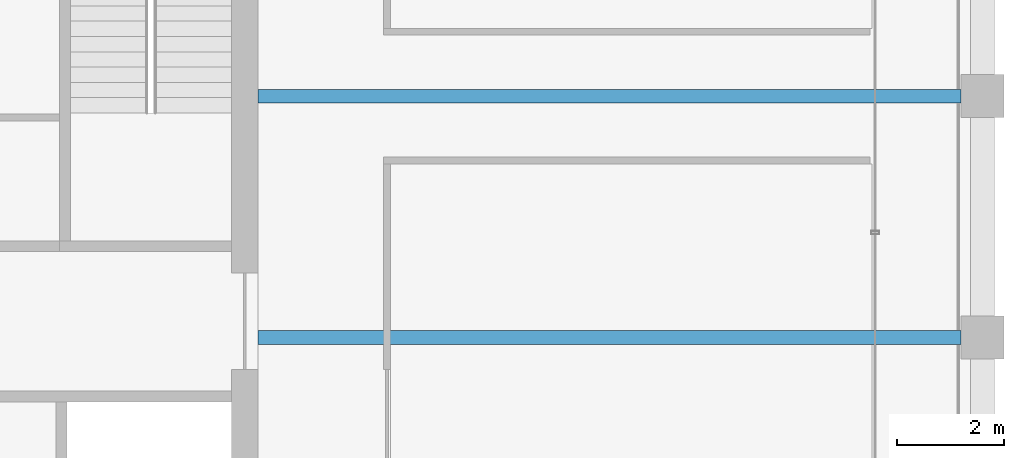
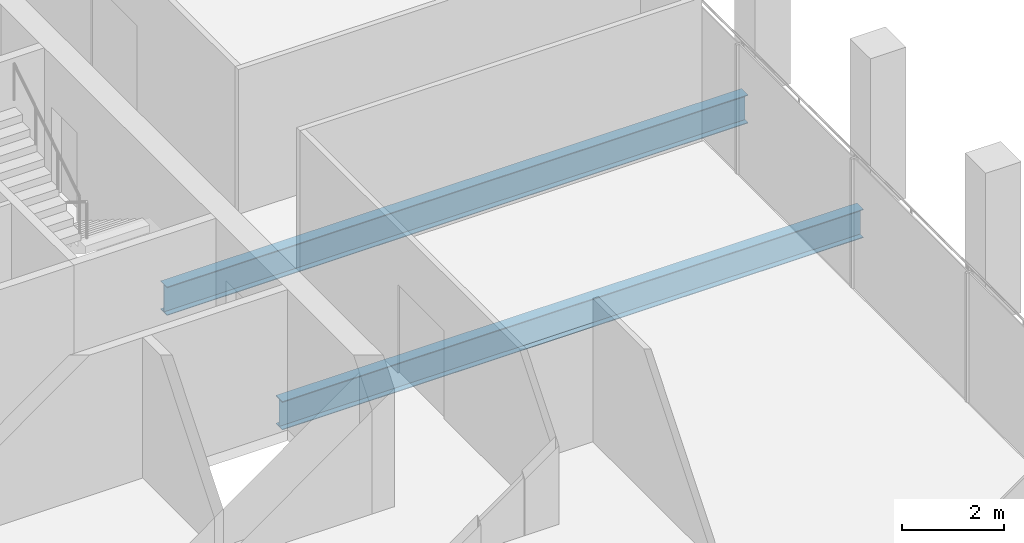
# One storey, part 16 of 30: 2 beams.
"""IFC4 building model written with IfcOpenShell, lengths in metres."""

import ifcopenshell
import ifcopenshell.guid

model = None  # the IFC model being written
_history = None  # IfcOwnerHistory: only IFC2X3 demands one
_inside = {}  # id of a spatial element -> (the spatial element, [elements in it])
_under = {}  # id of a project, library or spatial element -> (it, [spatial elements below it])
_declared = {}  # id of a project -> (the project, [libraries it declares])
_typed = {}  # id of a type object -> (the type object, [elements of that type])
_made_of = {}  # id of a material, layer set ... -> (it, [elements and type objects made of it])


def new_model(schema):
    """Start an empty IFC model of exactly this schema.

    Asked for "IFC4X3", IfcOpenShell would pick the latest addendum, in which some entities
    have other attributes; the version numbers below select the first issue.
    IFC2X3 requires an IfcOwnerHistory on every rooted entity: one is made here for all.
    """
    global model, _history
    if schema == "IFC4X3":
        model = ifcopenshell.file(schema_version=(4, 3, 0, 0))
    else:
        model = ifcopenshell.file(schema=schema)
    _inside.clear()
    _under.clear()
    _declared.clear()
    _typed.clear()
    _made_of.clear()
    _history = None
    if model.schema == "IFC2X3":
        org = make("IfcOrganization", Name="unknown")
        user = make(
            "IfcPersonAndOrganization",
            ThePerson=make("IfcPerson", FamilyName="unknown"),
            TheOrganization=org,
        )
        app = make(
            "IfcApplication",
            ApplicationDeveloper=org,
            Version="unknown",
            ApplicationFullName="unknown",
            ApplicationIdentifier="unknown",
        )
        _history = make(
            "IfcOwnerHistory",
            OwningUser=user,
            OwningApplication=app,
            ChangeAction="ADDED",
            CreationDate=0,
        )
    return model


def make(cls, **values):
    """One entity of the class cls with the attributes given. An attribute that is None is left unset."""
    return model.create_entity(
        cls, **{name: value for name, value in values.items() if value is not None}
    )


def rooted(cls, **values):
    """An entity with a GlobalId (a new one), such as an element, a storey or a relation."""
    return make(cls, GlobalId=ifcopenshell.guid.new(), OwnerHistory=_history, **values)


def si_unit(unit_type, name, prefix=None):
    """IfcSIUnit, for example si_unit("LENGTHUNIT", "METRE", prefix="MILLI")."""
    return make("IfcSIUnit", UnitType=unit_type, Prefix=prefix, Name=name)


def assignment(units):
    """IfcUnitAssignment: the units of a project."""
    return None if units is None else make("IfcUnitAssignment", Units=units)


def point(xyz):
    """IfcCartesianPoint."""
    return None if xyz is None else make("IfcCartesianPoint", Coordinates=xyz)


def direction(xyz):
    """IfcDirection."""
    return None if xyz is None else make("IfcDirection", DirectionRatios=xyz)


def frame(location, z_axis=None, x_axis=None):
    """IfcAxis2Placement3D, a coordinate frame: its origin and axes. An axis left out is left unset."""
    return make(
        "IfcAxis2Placement3D",
        Location=point(location),
        Axis=direction(z_axis),
        RefDirection=direction(x_axis),
    )


def frame_2d(location, x_axis=None):
    """IfcAxis2Placement2D, a coordinate frame in the plane: its origin and x axis."""
    return make(
        "IfcAxis2Placement2D", Location=point(location), RefDirection=direction(x_axis)
    )


def origin():
    """The frame at (0, 0, 0) with its axes left unset."""
    return frame((0.0, 0.0, 0.0))


def origin_2d():
    """The frame at (0, 0) in the plane with its x axis left unset."""
    return frame_2d((0.0, 0.0))


def place(relative_to, where):
    """IfcLocalPlacement: puts the frame where relative to a parent placement (None: the world)."""
    return make(
        "IfcLocalPlacement", PlacementRelTo=relative_to, RelativePlacement=where
    )


def context(
    kind, dimensions, precision=None, world=None, true_north=None, identifier=None
):
    """IfcGeometricRepresentationContext, for example the 3D "Model" context."""
    return make(
        "IfcGeometricRepresentationContext",
        ContextIdentifier=identifier,
        ContextType=kind,
        CoordinateSpaceDimension=dimensions,
        Precision=precision,
        WorldCoordinateSystem=world,
        TrueNorth=true_north,
    )


def subcontext(parent, identifier, kind, view, scale=None):
    """IfcGeometricRepresentationSubContext, for example "Body" below "Model"."""
    return make(
        "IfcGeometricRepresentationSubContext",
        ContextIdentifier=identifier,
        ContextType=kind,
        ParentContext=parent,
        TargetScale=scale,
        TargetView=view,
    )


def project(units=None, contexts=None):
    """IfcProject with its units and contexts."""
    return rooted(
        "IfcProject",
        Name="project",
        RepresentationContexts=contexts,
        UnitsInContext=assignment(units),
    )


def spatial(cls, under=None, at=None, **own):
    """A site, building, storey or space (cls), placed at a placement, below another one or the project."""
    s = rooted(cls, ObjectPlacement=at, **own)
    if under is not None:
        _under.setdefault(under.id(), (under, []))[1].append(s)
    return s


def profile(cls, at=None, kind="AREA", **sizes):
    """A parametric profile (cls). Its sizes go by their IFC names, for example OverallWidth=200.0."""
    return make(cls, ProfileType=kind, Position=at, **sizes)


def i_section(**sizes):
    """IfcIShapeProfileDef."""
    return profile("IfcIShapeProfileDef", **sizes)


def extrude(swept, where, along, depth):
    """IfcExtrudedAreaSolid: the profile swept, set in the frame where, extruded along a direction by depth."""
    return make(
        "IfcExtrudedAreaSolid",
        SweptArea=swept,
        Position=where,
        ExtrudedDirection=direction(along),
        Depth=depth,
    )


def shape(context_of_items, identifier, shape_type, items):
    """IfcShapeRepresentation: the items that make up one representation, for example the "Body"."""
    return make(
        "IfcShapeRepresentation",
        ContextOfItems=context_of_items,
        RepresentationIdentifier=identifier,
        RepresentationType=shape_type,
        Items=items,
    )


def material(Name=None, Category=None):
    """IfcMaterial."""
    return make("IfcMaterial", Name=Name, Category=Category)


def material_profile(
    of_material, cross_section, Name=None, Category=None, Priority=None
):
    """IfcMaterialProfile: a cross section and its material."""
    return make(
        "IfcMaterialProfile",
        Name=Name,
        Material=of_material,
        Profile=cross_section,
        Priority=Priority,
        Category=Category,
    )


def profile_set(profiles, Name=None, composite=None):
    """IfcMaterialProfileSet."""
    return make(
        "IfcMaterialProfileSet",
        Name=Name,
        MaterialProfiles=profiles,
        CompositeProfile=composite,
    )


def made_of(thing, what):
    """Note that an element or type object is made of a material, layer set ...; save() writes the relation."""
    if what is not None:
        _made_of.setdefault(what.id(), (what, []))[1].append(thing)
    return thing


def type_object(cls, material=None, **own):
    """A type object (cls), such as IfcWallType, which elements share."""
    return made_of(rooted(cls, **own), material)


def element(
    cls,
    number,
    at=None,
    inside=None,
    cuts=None,
    type_object=None,
    material=None,
    context=None,
    identifier="Body",
    shape_type=None,
    held_by="IfcProductDefinitionShape",
    body=None,
    shapes=None,
    **own,
):
    """One element of the class cls, such as IfcWall. Its Tag is "e" and its number.

    at: its placement. inside: the storey or other place that contains it. cuts: it is an
    opening in that element (IfcRelVoidsElement). A single representation is given by context,
    identifier, shape_type and body (its items); several are given by shapes. held_by: the class
    of the entity that holds the representations. save() writes the other relations.
    """
    e = rooted(cls, Tag="e%d" % number, ObjectPlacement=at, **own)
    if body is not None:
        shapes = [shape(context, identifier, shape_type, body)]
    if shapes is not None:
        e.Representation = make(held_by, Representations=shapes)
    if inside is not None:
        _inside.setdefault(inside.id(), (inside, []))[1].append(e)
    if cuts is not None:
        rooted(
            "IfcRelVoidsElement", RelatingBuildingElement=cuts, RelatedOpeningElement=e
        )
    if type_object is not None:
        _typed.setdefault(type_object.id(), (type_object, []))[1].append(e)
    return made_of(e, material)


def aggregate(whole, parts):
    """IfcRelAggregates: a whole, such as a stair, and the parts it consists of."""
    return rooted("IfcRelAggregates", RelatingObject=whole, RelatedObjects=parts)


def save(model, path):
    """Write the relations noted so far, then the file.

    IfcRelAggregates (storeys below a building ...), IfcRelContainedInSpatialStructure (elements
    in a storey), IfcRelDefinesByType, IfcRelAssociatesMaterial and IfcRelDeclares: one each for
    every whole, place, type object, material and project.
    """
    for whole, parts in _under.values():
        aggregate(whole, parts)
    for where, things in _inside.values():
        rooted(
            "IfcRelContainedInSpatialStructure",
            RelatedElements=things,
            RelatingStructure=where,
        )
    for kind, things in _typed.values():
        rooted("IfcRelDefinesByType", RelatedObjects=things, RelatingType=kind)
    for what, things in _made_of.values():
        rooted("IfcRelAssociatesMaterial", RelatedObjects=things, RelatingMaterial=what)
    for by, libraries in _declared.values():
        rooted("IfcRelDeclares", RelatingContext=by, RelatedDefinitions=libraries)
    model.write(path)


model = new_model("IFC4")

# Units and contexts
model_context = context("Model", 3, precision=1e-05, world=origin(), true_north=direction((0.0, 1.0)))
body_context = subcontext(model_context, "Body", "Model", "MODEL_VIEW")
ifc_project = project(units=[si_unit("LENGTHUNIT", "METRE"), si_unit("AREAUNIT", "SQUARE_METRE"), si_unit("VOLUMEUNIT", "CUBIC_METRE"), si_unit("PLANEANGLEUNIT", "RADIAN"), si_unit("MASSUNIT", "GRAM", prefix="KILO")], contexts=[model_context])

# Site, building, storey
site_placement = place(None, origin())
site = spatial("IfcSite", under=ifc_project, at=site_placement, CompositionType="ELEMENT")
building_placement = place(site_placement, origin())
building = spatial("IfcBuilding", under=site, at=building_placement, Name="Altepetl Exchange Towers", CompositionType="ELEMENT")
storey_placement = place(building_placement, frame((0.0, 0.0, 220.800048828125)))
storey = spatial("IfcBuildingStorey", under=building, at=storey_placement, Name="L56", CompositionType="ELEMENT", Elevation=220.800048828125)

# Beams
ifc_material = material(Name="Steel S355", Category="steel")
ifc_material_profile = material_profile(ifc_material, i_section(OverallWidth=0.2529296875, OverallDepth=0.677978515625, WebThickness=0.01171875, FlangeThickness=0.016357421875, at=origin_2d()), Name="W27X84")
ifc_profile_set = profile_set([ifc_material_profile], Name="Steel S355")
beam_type = type_object("IfcBeamType", Name="Floor beam W27X84", PredefinedType="BEAM", material=ifc_profile_set)
for number, where, z_axis, x_axis, name in (
    (1, (58.5, 45.0, -0.489013671875), (1.0, 0.0, 0.0), (0.0, 1.0, 0.0), "bm:A:L56:009"),
    (2, (58.5, 49.5, -0.489013671875), (1.0, 0.0, 0.0), (0.0, 1.0, 0.0), "bm:A:L56:010"),
):
    element("IfcBeam", number, at=place(storey_placement, frame(where, z_axis=z_axis, x_axis=x_axis)), inside=storey, type_object=beam_type, Name=name, PredefinedType="BEAM", context=body_context, shape_type="SweptSolid", body=[
        extrude(i_section(OverallWidth=0.2529296875, OverallDepth=0.677978515625, WebThickness=0.01171875, FlangeThickness=0.016357421875, at=origin_2d()), origin(), (0.0, 0.0, 1.0), 13.10009765625),
    ])

save(model, "model.ifc")
